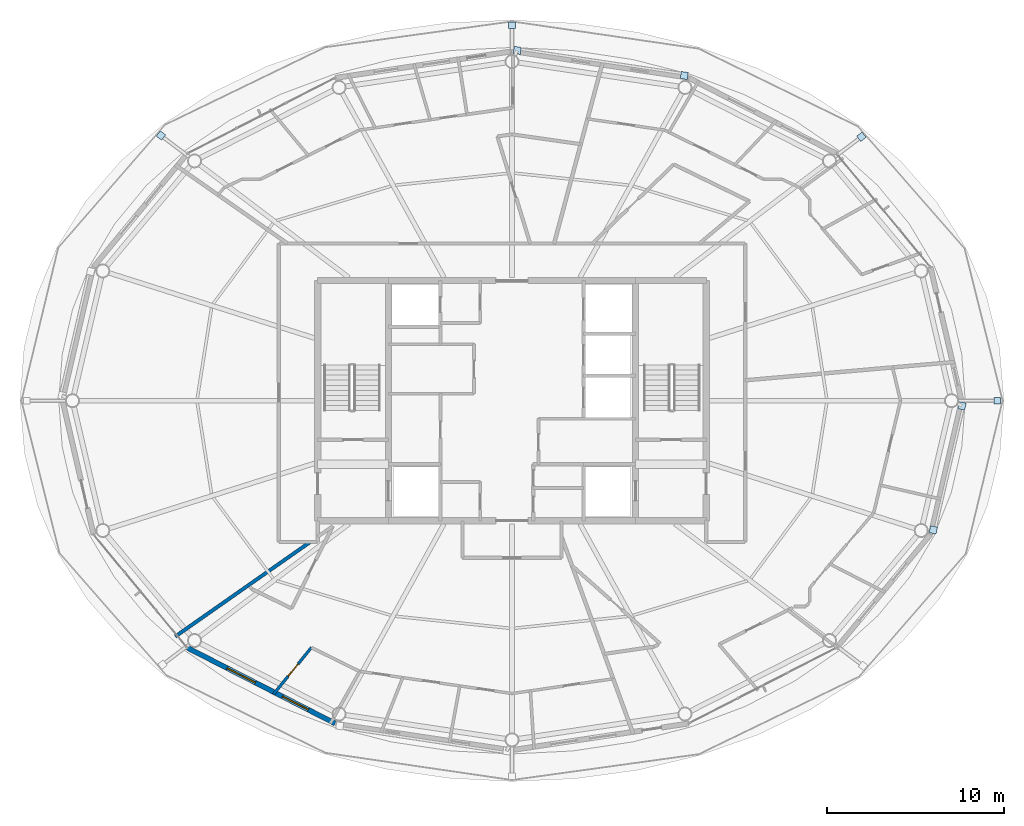
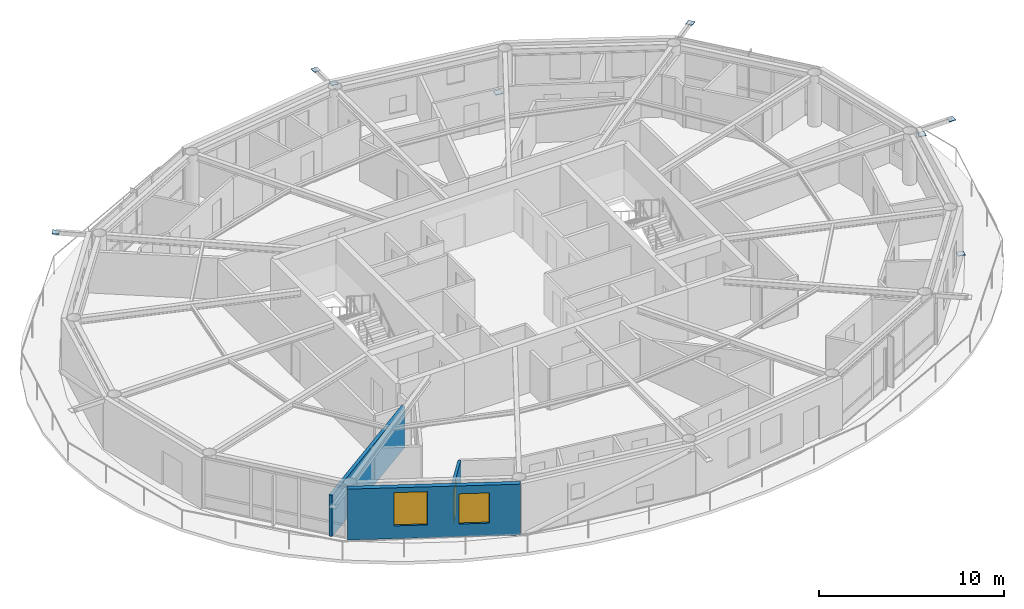
# One storey, part 15 of 23: 8 plates, 3 walls, 2 windows, 1 door, 3 openings.
"""IFC4 building model written with IfcOpenShell, lengths in metres."""

from ifc_helpers import new_model, si_unit, direction, frame, frame_2d, origin, origin_2d, place, context, subcontext, project, spatial, rectangle, extrude, material, layer, layer_set, type_object, element, fill, save


model = new_model("IFC4")

# Units and contexts
model_context = context("Model", 3, precision=1e-05, world=origin(), true_north=direction((0.0, 1.0)))
body_context = subcontext(model_context, "Body", "Model", "MODEL_VIEW")
ifc_project = project(units=[si_unit("LENGTHUNIT", "METRE"), si_unit("AREAUNIT", "SQUARE_METRE"), si_unit("VOLUMEUNIT", "CUBIC_METRE"), si_unit("PLANEANGLEUNIT", "RADIAN"), si_unit("MASSUNIT", "GRAM", prefix="KILO")], contexts=[model_context])

# Site, building, storey
site_placement = place(None, origin())
site = spatial("IfcSite", under=ifc_project, at=site_placement, CompositionType="ELEMENT")
building_placement = place(site_placement, origin())
building = spatial("IfcBuilding", under=site, at=building_placement, Name="Sarneth Arch Tower", CompositionType="ELEMENT")
storey_placement = place(building_placement, frame((0.0, 0.0, 273.0)))
storey = spatial("IfcBuildingStorey", under=building, at=storey_placement, Name="L70", CompositionType="ELEMENT", Elevation=273.0)

# Plates
ifc_material_1 = material(Name="Steel S355", Category="steel")
ifc_layer_1 = layer(ifc_material_1, 0.035888671875)
ifc_layer_set_1 = layer_set([ifc_layer_1], Name="Steel S355")
plate_type = type_object("IfcPlateType", Name="PLT-GUSSET-30", PredefinedType="SHEET", material=ifc_layer_set_1)
for number, where, z_axis, x_axis, name in (
    (1, (75.477294921875, 42.0, 3.19189453125), (0.0, 0.0, 1.0), (1.0, 0.0, 0.0), "Steel end cap plate GP-1"),
    (2, (67.784912109375, 56.943359375, 3.19189453125), (0.0, 0.0, 1.0), (0.798004853043, 0.602651022168, 0.0), "Steel end cap plate GP-1"),
):
    element("IfcPlate", number, at=place(storey_placement, frame(where, z_axis=z_axis, x_axis=x_axis)), inside=storey, type_object=plate_type, Name=name, PredefinedType="SHEET", context=body_context, shape_type="SweptSolid", body=[
        extrude(rectangle(XDim=0.3798828125, YDim=0.3798828125, at=origin_2d()), origin(), (0.0, 0.0, 1.0), 0.035888671875),
    ])
for number, where, z_axis, x_axis, name in (
    (3, (57.754150390625, 60.411376953125, 0.001953125), (0.0, 0.0, 1.0), (-0.988860535448, 0.148845024885, 0.0), "Steel end cap plate GP-1"),
    (4, (48.296630859375, 61.83544921875, 3.07421875), (0.0, 0.0, 1.0), (-0.988860535448, 0.148845024885, 0.0), "Steel end cap plate GP-1"),
):
    element("IfcPlate", number, at=place(storey_placement, frame(where, z_axis=z_axis, x_axis=x_axis)), inside=storey, type_object=plate_type, Name=name, PredefinedType="SHEET", context=body_context, shape_type="SweptSolid", body=[
        extrude(rectangle(XDim=0.404052734375, YDim=0.404052734375, at=origin_2d()), origin(), (0.0, 0.0, 1.0), 0.035888671875),
    ])
for number, where, z_axis, x_axis, name in (
    (5, (48.0, 63.256103515625, 3.19189453125), (0.0, 0.0, 1.0), (0.0, 1.0, 0.0), "Steel end cap plate GP-1"),
    (6, (28.123779296875, 57.01220703125, 3.19189453125), (0.0, 0.0, 1.0), (-0.798004853043, 0.602651022168, 0.0), "Steel end cap plate GP-1"),
):
    element("IfcPlate", number, at=place(storey_placement, frame(where, z_axis=z_axis, x_axis=x_axis)), inside=storey, type_object=plate_type, Name=name, PredefinedType="SHEET", context=body_context, shape_type="SweptSolid", body=[
        extrude(rectangle(XDim=0.3798828125, YDim=0.3798828125, at=origin_2d()), origin(), (0.0, 0.0, 1.0), 0.035888671875),
    ])
for number, where, z_axis, x_axis, name in (
    (7, (71.851806640625, 34.6845703125, 0.001953125), (0.0, 0.0, 1.0), (0.225461202458, 0.974252147129, 0.0), "Steel end cap plate GP-1"),
    (8, (73.4765625, 41.707763671875, 3.07421875), (0.0, 0.0, 1.0), (0.225461202458, 0.974252147129, 0.0), "Steel end cap plate GP-1"),
):
    element("IfcPlate", number, at=place(storey_placement, frame(where, z_axis=z_axis, x_axis=x_axis)), inside=storey, type_object=plate_type, Name=name, PredefinedType="SHEET", context=body_context, shape_type="SweptSolid", body=[
        extrude(rectangle(XDim=0.404052734375, YDim=0.404052734375, at=origin_2d()), origin(), (0.0, 0.0, 1.0), 0.035888671875),
    ])

# Wall, openings, windows
ifc_material_2 = material(Name="Extruded terracotta rainscreen on Concrete C40/50 backing", Category="masonry")
ifc_layer_2 = layer(ifc_material_2, 0.280029296875)
ifc_layer_set_2 = layer_set([ifc_layer_2], Name="Extruded terracotta rainscreen on Concrete C40/50 backing")
wall_type_1 = type_object("IfcWallType", Name="WALL-EXT-TERRA-280", PredefinedType="SOLIDWALL", material=ifc_layer_set_2)
wall_1_placement = place(storey_placement, frame((29.617431640625, 28.013427734375, 0.0), z_axis=(0.0, 0.0, 1.0), x_axis=(0.890007394051, -0.455946091699, 0.0)))
wall_1 = element("IfcWall", 9, at=wall_1_placement, inside=storey, type_object=wall_type_1, Name="L70 Terracotta perimeter wall 11", PredefinedType="SOLIDWALL", context=body_context, shape_type="SweptSolid", body=[
    extrude(rectangle(XDim=9.404296875, YDim=0.280029296875, at=frame_2d((4.7021484375, 0.0))), origin(), (0.0, 0.0, 1.0), 3.3701171875),
])
opening_1_placement = place(wall_1_placement, frame((2.533447265625, 0.0, 0.85009765625)))
opening_1 = element("IfcOpeningElement", 10, at=opening_1_placement, cuts=wall_1, Name="Opening W-04", PredefinedType="OPENING", context=body_context, shape_type="SweptSolid", body=[
    extrude(rectangle(XDim=1.800048828125, YDim=2.199951171875, at=frame_2d((0.89990234375, 1.10009765625))), frame((0.0, 0.14990234375, 0.0), z_axis=(0.0, -1.0, 0.0), x_axis=(1.0, 0.0, 0.0)), (0.0, 0.0, 1.0), 0.300048828125),
])
opening_2_placement = place(wall_1_placement, frame((6.04931640625, 0.0, 0.85009765625)))
opening_2 = element("IfcOpeningElement", 11, at=opening_2_placement, cuts=wall_1, Name="Opening W-05", PredefinedType="OPENING", context=body_context, shape_type="SweptSolid", body=[
    extrude(rectangle(XDim=1.64990234375, YDim=2.0, at=frame_2d((0.824951171875, 1.0))), frame((0.0, 0.14990234375, 0.0), z_axis=(0.0, -1.0, 0.0), x_axis=(1.0, 0.0, 0.0)), (0.0, 0.0, 1.0), 0.300048828125),
])
ifc_material_3 = material(Name="Thermally broken Aluminium 6063-T6 and low-e laminated IGU", Category="aluminium")
window_type_1 = type_object("IfcWindowType", Name="WIN-TWR-1650x2000", PartitioningType="DOUBLE_PANEL_VERTICAL", PredefinedType="WINDOW", material=ifc_material_3)
window_1_placement = place(opening_2_placement, origin())
window_1 = element("IfcWindow", 12, at=window_1_placement, inside=storey, type_object=window_type_1, Name="L70 Exterior window 11B", OverallHeight=2.0, OverallWidth=1.64990234375, PartitioningType="SINGLE_PANEL", PredefinedType="WINDOW", context=body_context, shape_type="SweptSolid", body=[
    extrude(rectangle(XDim=1.64990234375, YDim=2.0, at=frame_2d((0.824951171875, 1.0))), frame((0.0, 0.030029296875, 0.0), z_axis=(0.0, -1.0, 0.0), x_axis=(1.0, 0.0, 0.0)), (0.0, 0.0, 1.0), 0.06005859375),
])
fill(opening_2, window_1)
ifc_material_4 = material(Name="Thermally broken Aluminium 6063-T6 and low-e laminated IGU", Category="aluminium")
window_type_2 = type_object("IfcWindowType", Name="WIN-TWR-1800x2200", PartitioningType="DOUBLE_PANEL_VERTICAL", PredefinedType="WINDOW", material=ifc_material_4)
window_2_placement = place(opening_1_placement, origin())
window_2 = element("IfcWindow", 13, at=window_2_placement, inside=storey, type_object=window_type_2, Name="L70 Exterior window 11A", OverallHeight=2.199951171875, OverallWidth=1.800048828125, PartitioningType="SINGLE_PANEL", PredefinedType="WINDOW", context=body_context, shape_type="SweptSolid", body=[
    extrude(rectangle(XDim=1.800048828125, YDim=2.199951171875, at=frame_2d((0.89990234375, 1.10009765625))), frame((0.0, 0.030029296875, 0.0), z_axis=(0.0, -1.0, 0.0), x_axis=(1.0, 0.0, 0.0)), (0.0, 0.0, 1.0), 0.06005859375),
])
fill(opening_1, window_2)

# Wall, opening, door
ifc_material_5 = material(Name="Kitchen wet service chase wall", Category="gypsum")
ifc_layer_3 = layer(ifc_material_5, 0.159912109375)
ifc_layer_set_3 = layer_set([ifc_layer_3], Name="Kitchen wet service chase wall")
wall_type_2 = type_object("IfcWallType", Name="WALL-PLUMB-160", PredefinedType="PLUMBINGWALL", material=ifc_layer_set_3)
wall_2_placement = place(storey_placement, frame((36.64306640625, 28.0244140625, 0.0), z_axis=(0.0, 0.0, 1.0), x_axis=(-0.630641219738, -0.776074514442, 0.0)))
wall_2 = element("IfcWall", 14, at=wall_2_placement, inside=storey, type_object=wall_type_2, Name="L70 Interior partition W-L70-TP-065", PredefinedType="PLUMBINGWALL", context=body_context, shape_type="SweptSolid", body=[
    extrude(rectangle(XDim=3.404541015625, YDim=0.159912109375, at=frame_2d((1.7021484375, 0.0))), origin(), (0.0, 0.0, 1.0), 2.72998046875),
])
opening_3_placement = place(wall_2_placement, frame((1.192138671875, 0.0, 0.0)))
opening_3 = element("IfcOpeningElement", 15, at=opening_3_placement, cuts=wall_2, Name="Opening ID-01", PredefinedType="OPENING", context=body_context, shape_type="SweptSolid", body=[
    extrude(rectangle(XDim=0.89990234375, YDim=2.10009765625, at=frame_2d((0.449951171875, 1.050048828125))), frame((0.0, 0.08984375, 0.0), z_axis=(0.0, -1.0, 0.0), x_axis=(1.0, 0.0, 0.0)), (0.0, 0.0, 1.0), 0.179931640625),
])
ifc_material_6 = material(Name="Engineered hardwood flush door", Category="wood")
door_type = type_object("IfcDoorType", Name="DR-INT-900", OperationType="SINGLE_SWING_LEFT", PredefinedType="DOOR", material=ifc_material_6)
door_placement = place(opening_3_placement, origin())
door = element("IfcDoor", 16, at=door_placement, inside=storey, type_object=door_type, Name="L70 Interior door DR-L70-U4-KIT", OperationType="SINGLE_SWING_RIGHT", OverallHeight=2.10009765625, OverallWidth=0.89990234375, PredefinedType="DOOR", context=body_context, shape_type="SweptSolid", body=[
    extrude(rectangle(XDim=0.89990234375, YDim=2.10009765625, at=frame_2d((0.449951171875, 1.050048828125))), frame((0.0, 0.02490234375, 0.0), z_axis=(0.0, -1.0, 0.0), x_axis=(1.0, 0.0, 0.0)), (0.0, 0.0, 1.0), 0.050048828125),
])
fill(opening_3, door)

# Wall
ifc_material_7 = material(Name="Double steel-stud acoustic drywall", Category="steel")
ifc_layer_4 = layer(ifc_material_7, 0.199951171875)
ifc_layer_set_4 = layer_set([ifc_layer_4], Name="Double steel-stud acoustic drywall")
wall_type_3 = type_object("IfcWallType", Name="WALL-UNIT-200", PredefinedType="PARTITIONING", material=ifc_layer_set_4)
wall_3_placement = place(storey_placement, frame((36.57470703125, 34.0, 0.0), z_axis=(0.0, 0.0, 1.0), x_axis=(-0.819138444565, -0.57359585828, 0.0)))
element("IfcWall", 17, at=wall_3_placement, inside=storey, type_object=wall_type_3, Name="L70 Interior partition W-L70-TP-061", PredefinedType="PARTITIONING", context=body_context, shape_type="SweptSolid", body=[
    extrude(rectangle(XDim=9.326416015625, YDim=0.199951171875, at=frame_2d((4.6630859375, 0.0))), origin(), (0.0, 0.0, 1.0), 2.72998046875),
])

save(model, "model.ifc")
